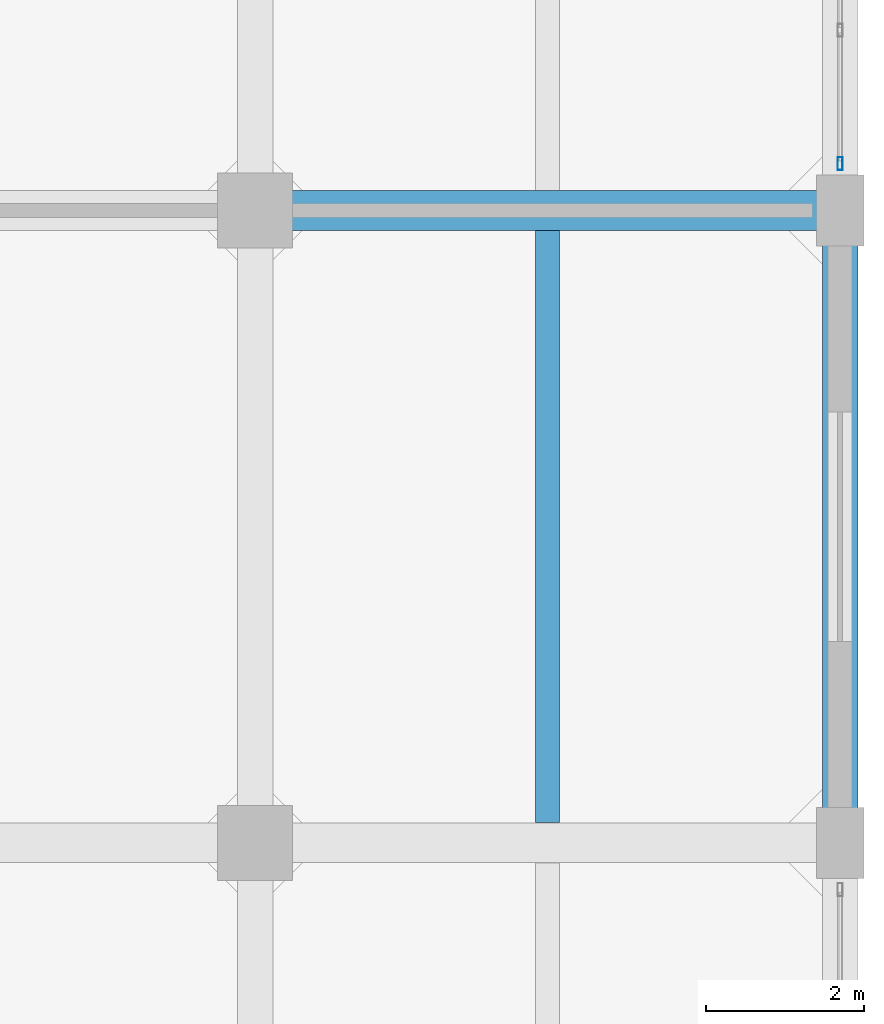
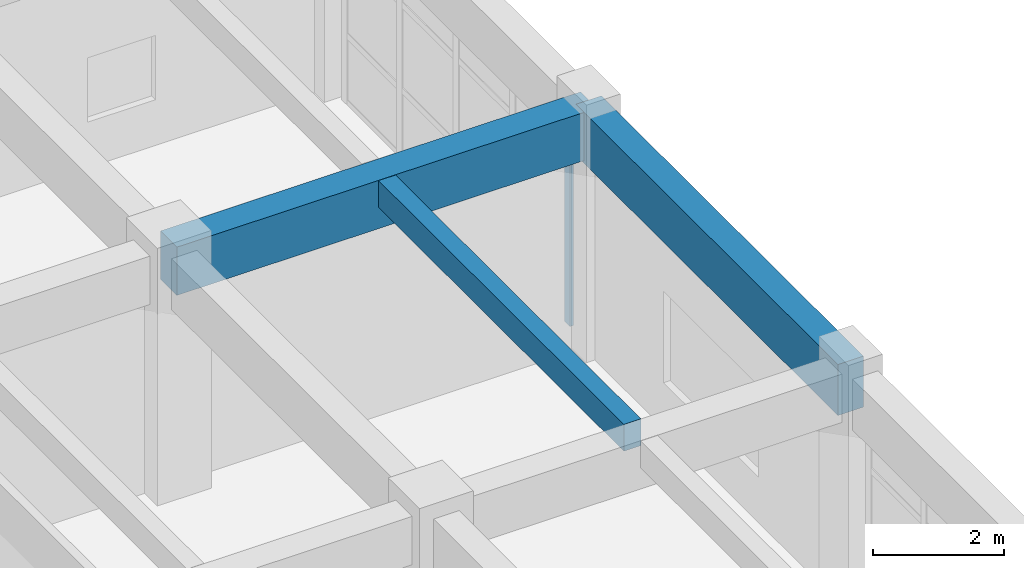
# One storey, part 192 of 248: 3 beams, 1 member, 1 element without a shape of its own.
"""IFC4 building model written with IfcOpenShell, lengths in metres."""

from ifc_helpers import new_model, si_unit, direction, frame, origin, origin_2d, place, context, subcontext, project, spatial, rectangle, hollow_rectangle, extrude, material, layer, layer_set, material_profile, profile_set, type_object, element, aggregate, save


model = new_model("IFC4")

# Units and contexts
model_context = context("Model", 3, precision=1e-05, world=origin(), true_north=direction((0.0, 1.0)))
body_context = subcontext(model_context, "Body", "Model", "MODEL_VIEW")
ifc_project = project(units=[si_unit("LENGTHUNIT", "METRE"), si_unit("AREAUNIT", "SQUARE_METRE"), si_unit("VOLUMEUNIT", "CUBIC_METRE"), si_unit("PLANEANGLEUNIT", "RADIAN"), si_unit("MASSUNIT", "GRAM", prefix="KILO")], contexts=[model_context])

# Site, building, storey
site_placement = place(None, origin())
site = spatial("IfcSite", under=ifc_project, at=site_placement, CompositionType="ELEMENT")
building_placement = place(site_placement, origin())
building = spatial("IfcBuilding", under=site, at=building_placement, Name="Canggui Botanical Conservatory", CompositionType="ELEMENT")
storey_placement = place(building_placement, frame((0.0, 0.0, 5.39990234375)))
storey = spatial("IfcBuildingStorey", under=building, at=storey_placement, Name="L02", CompositionType="ELEMENT", Elevation=5.39990234375)

# Beams
ifc_material_1 = material(Name="Concrete C35", Category="concrete")
ifc_material_profile_1 = material_profile(ifc_material_1, rectangle(XDim=0.300048828125, YDim=0.5, at=origin_2d()), Name="RB 300x500")
ifc_profile_set_1 = profile_set([ifc_material_profile_1], Name="Concrete C35")
beam_type_1 = type_object("IfcBeamType", Name="BM-JST02", PredefinedType="JOIST", material=ifc_profile_set_1)
beam_1_placement = place(storey_placement, frame((173.699951171875, 66.2548828125, 4.27001953125), z_axis=(0.0, 1.0, 0.0), x_axis=(-1.0, 0.0, 0.0)))
element("IfcBeam", 1, at=beam_1_placement, inside=storey, type_object=beam_type_1, Name="Secondary Floor Joist L02-6-6", PredefinedType="JOIST", context=body_context, shape_type="SweptSolid", body=[
    extrude(rectangle(XDim=0.300048828125, YDim=0.5, at=origin_2d()), origin(), (0.0, 0.0, 1.0), 7.490234375),
])
ifc_material_profile_2 = material_profile(ifc_material_1, rectangle(XDim=0.5, YDim=0.89990234375, at=origin_2d()), Name="RB 500x900")
ifc_profile_set_2 = profile_set([ifc_material_profile_2], Name="Concrete C35")
beam_type_2 = type_object("IfcBeamType", Name="BM-KL03", PredefinedType="BEAM", material=ifc_profile_set_2)
beam_2_placement = place(storey_placement, frame((170.0, 74.0, 4.070068359375), z_axis=(1.0, 0.0, 0.0), x_axis=(0.0, 1.0, 0.0)))
element("IfcBeam", 2, at=beam_2_placement, inside=storey, type_object=beam_type_2, Name="Frame Girder L02 Y74-6", PredefinedType="BEAM", context=body_context, shape_type="SweptSolid", body=[
    extrude(rectangle(XDim=0.5, YDim=0.89990234375, at=origin_2d()), origin(), (0.0, 0.0, 1.0), 7.39990234375),
])
ifc_material_profile_3 = material_profile(ifc_material_1, rectangle(XDim=0.449951171875, YDim=0.949951171875, at=origin_2d()), Name="RB 450x950")
ifc_profile_set_3 = profile_set([ifc_material_profile_3], Name="Concrete C35")
beam_type_3 = type_object("IfcBeamType", Name="BM-KL04", PredefinedType="BEAM", material=ifc_profile_set_3)
beam_3_placement = place(storey_placement, frame((177.39990234375, 66.0, 4.045166015625), z_axis=(0.0, 1.0, 0.0), x_axis=(-1.0, 0.0, 0.0)))
element("IfcBeam", 3, at=beam_3_placement, inside=storey, type_object=beam_type_3, Name="Frame Girder L02 X178-6", PredefinedType="BEAM", context=body_context, shape_type="SweptSolid", body=[
    extrude(rectangle(XDim=0.449951171875, YDim=0.949951171875, at=origin_2d()), origin(), (0.0, 0.0, 1.0), 8.0),
])

# Curtain wall, member
ifc_material_2 = material(Name="Thermally Broken Aluminium", Category="aluminium")
ifc_layer = layer(ifc_material_2, 0.1650390625, Name="Thermally Broken Aluminium", Category="aluminium")
ifc_layer_set = layer_set([ifc_layer], Name="Thermally Broken Aluminium")
curtain_wall_type = type_object("IfcCurtainWallType", Name="CW-UNIT-B", PredefinedType="USERDEFINED", material=ifc_layer_set)
curtain_wall_placement = place(storey_placement, origin())
curtain_wall = element("IfcCurtainWall", 4, at=curtain_wall_placement, inside=storey, type_object=curtain_wall_type, Name="Facade Curtain Wall CW-TWR-L02-20", ObjectType="UNITISED CURTAIN WALL", PredefinedType="USERDEFINED")
ifc_material_profile_4 = material_profile(ifc_material_2, hollow_rectangle(XDim=0.06494140625, YDim=0.1650390625, WallThickness=0.00390625, at=origin_2d()), Name="CWM 65x165x4")
ifc_profile_set_4 = profile_set([ifc_material_profile_4], Name="Thermally Broken Aluminium")
member_type = type_object("IfcMemberType", Name="CWM-02", PredefinedType="MULLION", material=ifc_profile_set_4)
member_placement = place(storey_placement, frame((177.39990234375, 74.592529296875, 0.0), z_axis=(0.0, 0.0, 1.0), x_axis=(1.0, 0.0, 0.0)))
member = element("IfcMember", 5, at=member_placement, type_object=member_type, Name="CW-02 mullion 5", PredefinedType="MULLION", context=body_context, shape_type="SweptSolid", body=[
    extrude(hollow_rectangle(XDim=0.06494140625, YDim=0.1650390625, WallThickness=0.00390625, at=origin_2d()), origin(), (0.0, 0.0, 1.0), 4.0),
])
aggregate(curtain_wall, [member])

save(model, "model.ifc")
